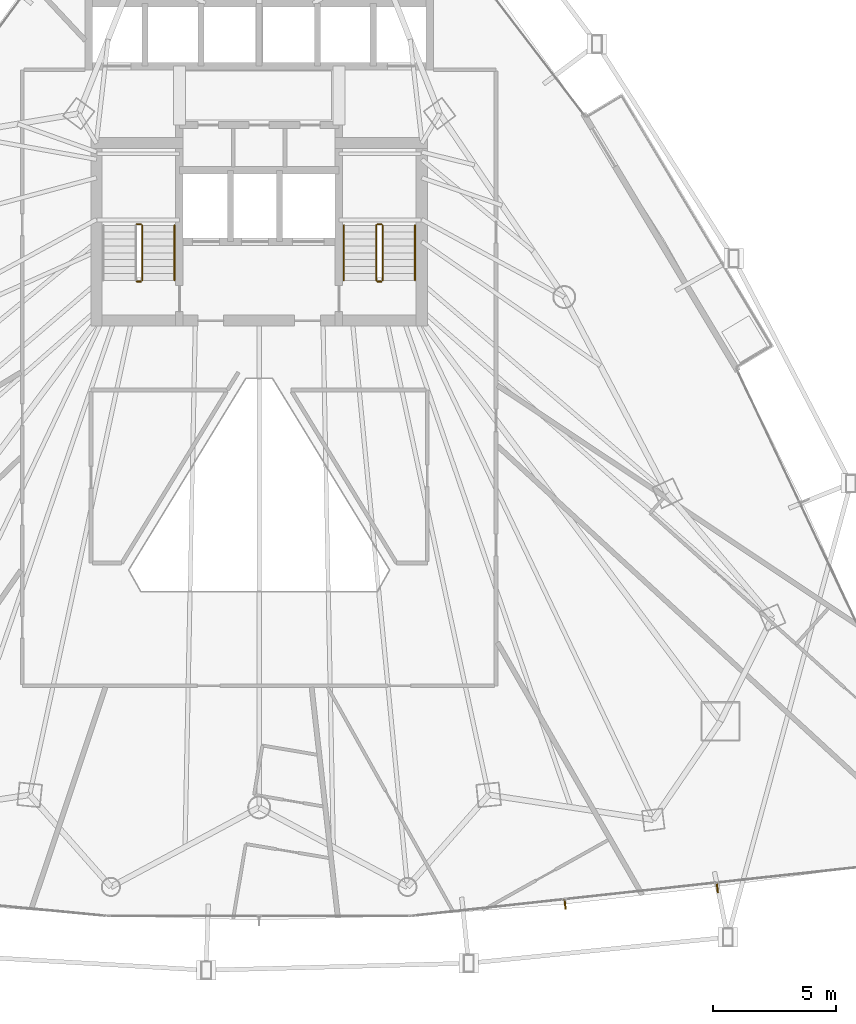
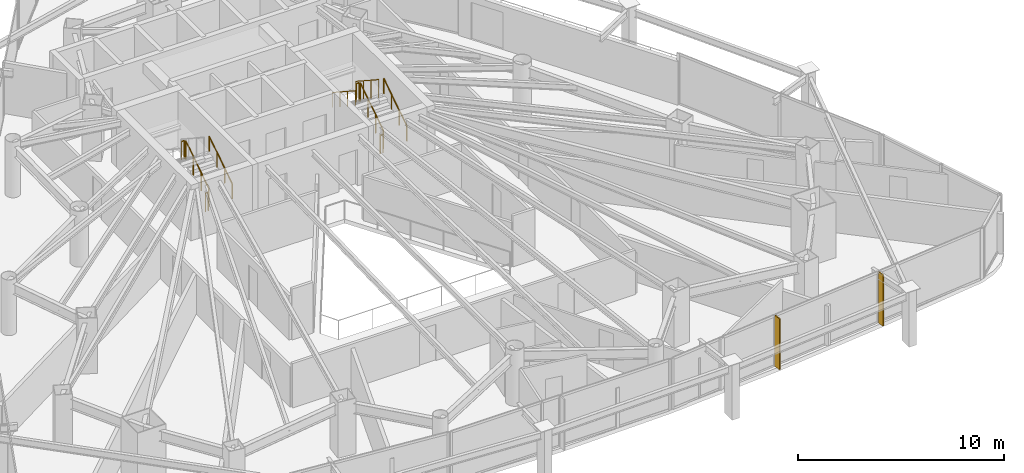
# One storey, part 32 of 33: 10 railings, 2 shading devices.
"""IFC4 building model written with IfcOpenShell, lengths in metres."""

from ifc_helpers import new_model, si_unit, direction, frame, origin, origin_2d, place, context, subcontext, project, spatial, rectangle, circle, extrude, material, layer, layer_set, type_object, element, save


model = new_model("IFC4")

# Units and contexts
model_context = context("Model", 3, precision=1e-05, world=origin(), true_north=direction((0.0, 1.0)))
body_context = subcontext(model_context, "Body", "Model", "MODEL_VIEW")
ifc_project = project(units=[si_unit("LENGTHUNIT", "METRE"), si_unit("AREAUNIT", "SQUARE_METRE"), si_unit("VOLUMEUNIT", "CUBIC_METRE"), si_unit("PLANEANGLEUNIT", "RADIAN"), si_unit("MASSUNIT", "GRAM", prefix="KILO")], contexts=[model_context])

# Site, building, storey
site_placement = place(None, origin())
site = spatial("IfcSite", under=ifc_project, at=site_placement, CompositionType="ELEMENT")
building_placement = place(site_placement, origin())
building = spatial("IfcBuilding", under=site, at=building_placement, Name="Orvanel Arch Residences", CompositionType="ELEMENT")
storey_placement = place(building_placement, frame((0.0, 0.0, 93.949951171875)))
storey = spatial("IfcBuildingStorey", under=building, at=storey_placement, Name="L26", CompositionType="ELEMENT", Elevation=93.949951171875)

# Shading devices
ifc_material_1 = material(Name="Bronze-anodised aluminium AA6063-T6", Category="aluminium")
ifc_layer = layer(ifc_material_1, 0.06005859375)
ifc_layer_set = layer_set([ifc_layer], Name="Bronze-anodised aluminium AA6063-T6")
shading_device_type = type_object("IfcShadingDeviceType", Name="FIN-BRZ-380", PredefinedType="USERDEFINED", material=ifc_layer_set)
for number, where, z_axis, x_axis, name in (
    (1, (45.465087890625, 2.885986328125, 0.0), (0.0, 0.0, 1.0), (0.107999355706, -0.994150963972, 0.0), "L26 Anodised Bronze Mullion FIN 01"),
    (2, (51.6689453125, 3.56298828125, 0.0), (0.0, 0.0, 1.0), (0.107999355706, -0.994150963972, 0.0), "L26 Anodised Bronze Mullion FIN 02"),
):
    element("IfcShadingDevice", number, at=place(storey_placement, frame(where, z_axis=z_axis, x_axis=x_axis)), inside=storey, type_object=shading_device_type, Name=name, ObjectType="FIN", PredefinedType="USERDEFINED", context=body_context, shape_type="SweptSolid", body=[
        extrude(rectangle(XDim=0.3798828125, YDim=0.06005859375, at=origin_2d()), origin(), (0.0, 0.0, 1.0), 3.02001953125),
    ])

# Railings
ifc_material_2 = material(Name="Structural steel AS/NZS 1163 C350L0 (Grade 350)", Category="steel")
railing_type_1 = type_object("IfcRailingType", Name="RL-STAIR-GUARD", PredefinedType="GUARDRAIL", material=ifc_material_2)
railing_1_placement = place(storey_placement, frame((28.22998046875, 28.320068359375, 0.183349609375)))
element("IfcRailing", 3, at=railing_1_placement, inside=storey, type_object=railing_type_1, Name="L26 ST-1 stair guard 1", PredefinedType="GUARDRAIL", context=body_context, shape_type="SweptSolid", body=[
    extrude(circle(Radius=0.02392578125, at=origin_2d()), frame((0.0, 0.001220703125, 1.076904296875), z_axis=(0.0, 0.836595146698, 0.547821650285), x_axis=(-1.0, 0.0, 0.0)), (0.0, 0.0, 1.0), 2.674560546875),
    extrude(circle(Radius=0.02099609375, at=origin_2d()), origin(), (0.0, 0.0, 1.0), 1.050048828125),
    extrude(circle(Radius=0.02099609375, at=origin_2d()), frame((0.0, 0.74658203125, 0.489013671875)), (0.0, 0.0, 1.0), 1.050048828125),
    extrude(circle(Radius=0.02099609375, at=origin_2d()), frame((0.0, 1.493408203125, 0.977783203125)), (0.0, 0.0, 1.0), 1.050048828125),
    extrude(circle(Radius=0.02099609375, at=origin_2d()), frame((0.0, 2.239990234375, 1.466796875)), (0.0, 0.0, 1.0), 1.050048828125),
])
for number, where, name in (
    (4, (28.179931640625, 30.610107421875, 1.650146484375), "L26 ST-1 stair guard 2"),
    (5, (28.179931640625, 28.27001953125, 0.0), "L26 ST-1 stair guard 4"),
):
    element("IfcRailing", number, at=place(storey_placement, frame(where)), inside=storey, type_object=railing_type_1, Name=name, PredefinedType="GUARDRAIL", context=body_context, shape_type="SweptSolid", body=[
        extrude(circle(Radius=0.02392578125, at=origin_2d()), frame((-0.00146484375, 0.0, 1.076171875), z_axis=(-1.0, 0.0, 0.0), x_axis=(0.0, -1.0, 0.0)), (0.0, 0.0, 1.0), 0.156982421875),
        extrude(circle(Radius=0.02099609375, at=origin_2d()), origin(), (0.0, 0.0, 1.0), 1.050048828125),
        extrude(circle(Radius=0.02099609375, at=origin_2d()), frame((-0.159912109375, 0.0, 0.0)), (0.0, 0.0, 1.0), 1.050048828125),
    ])
railing_2_placement = place(storey_placement, frame((38.030029296875, 28.320068359375, 0.183349609375)))
element("IfcRailing", 6, at=railing_2_placement, inside=storey, type_object=railing_type_1, Name="L26 ST-2 stair guard 1", PredefinedType="GUARDRAIL", context=body_context, shape_type="SweptSolid", body=[
    extrude(circle(Radius=0.02392578125, at=origin_2d()), frame((0.0, 0.001220703125, 1.076904296875), z_axis=(0.0, 0.836595146698, 0.547821650285), x_axis=(-1.0, 0.0, 0.0)), (0.0, 0.0, 1.0), 2.674560546875),
    extrude(circle(Radius=0.02099609375, at=origin_2d()), origin(), (0.0, 0.0, 1.0), 1.050048828125),
    extrude(circle(Radius=0.02099609375, at=origin_2d()), frame((0.0, 0.74658203125, 0.489013671875)), (0.0, 0.0, 1.0), 1.050048828125),
    extrude(circle(Radius=0.02099609375, at=origin_2d()), frame((0.0, 1.493408203125, 0.977783203125)), (0.0, 0.0, 1.0), 1.050048828125),
    extrude(circle(Radius=0.02099609375, at=origin_2d()), frame((0.0, 2.239990234375, 1.466796875)), (0.0, 0.0, 1.0), 1.050048828125),
])
railing_3_placement = place(storey_placement, frame((37.97998046875, 30.610107421875, 1.650146484375)))
element("IfcRailing", 7, at=railing_3_placement, inside=storey, type_object=railing_type_1, Name="L26 ST-2 stair guard 2", PredefinedType="GUARDRAIL", context=body_context, shape_type="SweptSolid", body=[
    extrude(circle(Radius=0.02392578125, at=origin_2d()), frame((-0.00146484375, 0.0, 1.076171875), z_axis=(-1.0, 0.0, 0.0), x_axis=(0.0, -1.0, 0.0)), (0.0, 0.0, 1.0), 0.156982421875),
    extrude(circle(Radius=0.02099609375, at=origin_2d()), origin(), (0.0, 0.0, 1.0), 1.050048828125),
    extrude(circle(Radius=0.02099609375, at=origin_2d()), frame((-0.159912109375, 0.0, 0.0)), (0.0, 0.0, 1.0), 1.050048828125),
])
railing_4_placement = place(storey_placement, frame((37.77001953125, 30.56005859375, 1.83349609375)))
element("IfcRailing", 8, at=railing_4_placement, inside=storey, type_object=railing_type_1, Name="L26 ST-2 stair guard 3", PredefinedType="GUARDRAIL", context=body_context, shape_type="SweptSolid", body=[
    extrude(circle(Radius=0.02392578125, at=origin_2d()), frame((0.0, -0.001220703125, 1.076904296875), z_axis=(0.0, -0.836636935527, 0.547757827979), x_axis=(1.0, 0.0, 0.0)), (0.0, 0.0, 1.0), 2.67431640625),
    extrude(circle(Radius=0.02099609375, at=origin_2d()), origin(), (0.0, 0.0, 1.0), 1.050048828125),
    extrude(circle(Radius=0.02099609375, at=origin_2d()), frame((0.0, -0.74658203125, 0.48876953125)), (0.0, 0.0, 1.0), 1.050048828125),
    extrude(circle(Radius=0.02099609375, at=origin_2d()), frame((0.0, -1.493408203125, 0.977783203125)), (0.0, 0.0, 1.0), 1.050048828125),
    extrude(circle(Radius=0.02099609375, at=origin_2d()), frame((0.0, -2.239990234375, 1.466552734375)), (0.0, 0.0, 1.0), 1.050048828125),
])
railing_5_placement = place(storey_placement, frame((37.97998046875, 28.27001953125, 0.0)))
element("IfcRailing", 9, at=railing_5_placement, inside=storey, type_object=railing_type_1, Name="L26 ST-2 stair guard 4", PredefinedType="GUARDRAIL", context=body_context, shape_type="SweptSolid", body=[
    extrude(circle(Radius=0.02392578125, at=origin_2d()), frame((-0.00146484375, 0.0, 1.076171875), z_axis=(-1.0, 0.0, 0.0), x_axis=(0.0, -1.0, 0.0)), (0.0, 0.0, 1.0), 0.156982421875),
    extrude(circle(Radius=0.02099609375, at=origin_2d()), origin(), (0.0, 0.0, 1.0), 1.050048828125),
    extrude(circle(Radius=0.02099609375, at=origin_2d()), frame((-0.159912109375, 0.0, 0.0)), (0.0, 0.0, 1.0), 1.050048828125),
])
railing_type_2 = type_object("IfcRailingType", Name="RL-STAIR-HAND", PredefinedType="HANDRAIL", material=ifc_material_2)
for number, where, name in (
    (10, (29.550048828125, 28.320068359375, 0.183349609375), "L26 ST-1 stair handrail 1"),
    (11, (39.35009765625, 28.320068359375, 0.183349609375), "L26 ST-2 stair handrail 1"),
):
    element("IfcRailing", number, at=place(storey_placement, frame(where)), inside=storey, type_object=railing_type_2, Name=name, PredefinedType="HANDRAIL", context=body_context, shape_type="SweptSolid", body=[
        extrude(circle(Radius=0.02392578125, at=origin_2d()), frame((0.0, 0.001220703125, 0.876708984375), z_axis=(0.0, 0.836595146698, 0.547821650285), x_axis=(-1.0, 0.0, 0.0)), (0.0, 0.0, 1.0), 2.674560546875),
        extrude(circle(Radius=0.02099609375, at=origin_2d()), origin(), (0.0, 0.0, 1.0), 0.849853515625),
        extrude(circle(Radius=0.02099609375, at=origin_2d()), frame((0.0, 0.74658203125, 0.489013671875)), (0.0, 0.0, 1.0), 0.849853515625),
        extrude(circle(Radius=0.02099609375, at=origin_2d()), frame((0.0, 1.493408203125, 0.977783203125)), (0.0, 0.0, 1.0), 0.849853515625),
        extrude(circle(Radius=0.02099609375, at=origin_2d()), frame((0.0, 2.239990234375, 1.466796875)), (0.0, 0.0, 1.0), 0.849853515625),
    ])
railing_6_placement = place(storey_placement, frame((36.449951171875, 30.56005859375, 1.83349609375)))
element("IfcRailing", 12, at=railing_6_placement, inside=storey, type_object=railing_type_2, Name="L26 ST-2 stair handrail 2", PredefinedType="HANDRAIL", context=body_context, shape_type="SweptSolid", body=[
    extrude(circle(Radius=0.02392578125, at=origin_2d()), frame((0.0, -0.001220703125, 0.876708984375), z_axis=(0.0, -0.836636935527, 0.547757827979), x_axis=(1.0, 0.0, 0.0)), (0.0, 0.0, 1.0), 2.67431640625),
    extrude(circle(Radius=0.02099609375, at=origin_2d()), origin(), (0.0, 0.0, 1.0), 0.849853515625),
    extrude(circle(Radius=0.02099609375, at=origin_2d()), frame((0.0, -0.74658203125, 0.48876953125)), (0.0, 0.0, 1.0), 0.849853515625),
    extrude(circle(Radius=0.02099609375, at=origin_2d()), frame((0.0, -1.493408203125, 0.977783203125)), (0.0, 0.0, 1.0), 0.849853515625),
    extrude(circle(Radius=0.02099609375, at=origin_2d()), frame((0.0, -2.239990234375, 1.466552734375)), (0.0, 0.0, 1.0), 0.849853515625),
])

save(model, "model.ifc")
